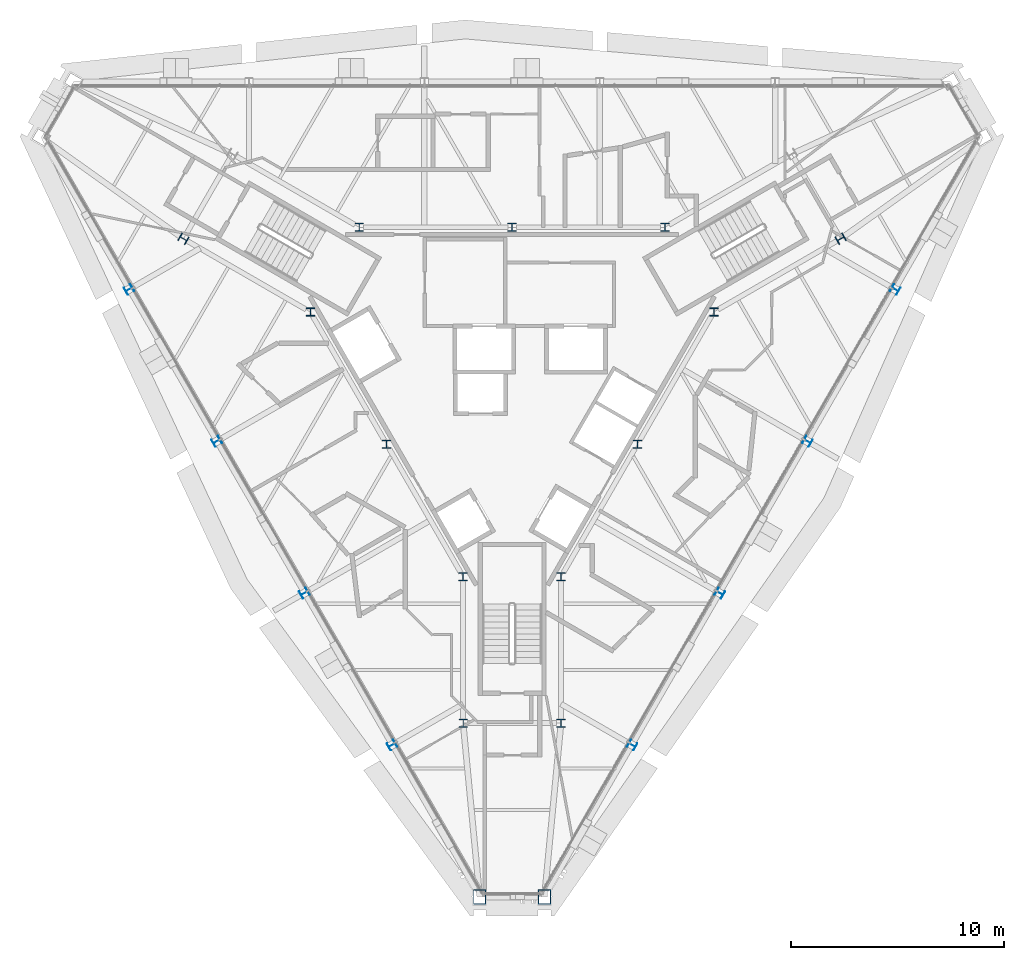
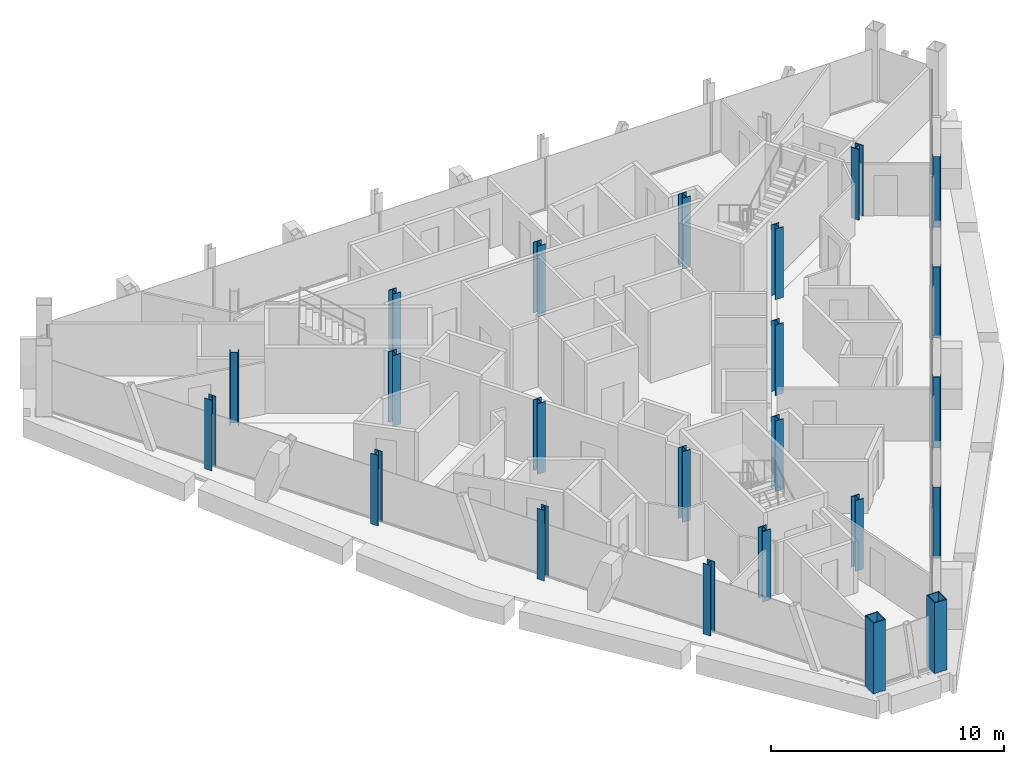
# One storey, part 1 of 14: 23 columns.
"""IFC4 building model written with IfcOpenShell, lengths in metres."""

from ifc_helpers import new_model, si_unit, direction, frame, origin, origin_2d, place, context, subcontext, project, spatial, hollow_rectangle, i_section, extrude, material, material_profile, profile_set, type_object, element, save


model = new_model("IFC4")

# Units and contexts
model_context = context("Model", 3, precision=1e-05, world=origin(), true_north=direction((0.0, 1.0)))
body_context = subcontext(model_context, "Body", "Model", "MODEL_VIEW")
ifc_project = project(units=[si_unit("LENGTHUNIT", "METRE"), si_unit("AREAUNIT", "SQUARE_METRE"), si_unit("VOLUMEUNIT", "CUBIC_METRE"), si_unit("PLANEANGLEUNIT", "RADIAN"), si_unit("MASSUNIT", "GRAM", prefix="KILO")], contexts=[model_context])

# Site, building, storey
site_placement = place(None, origin())
site = spatial("IfcSite", under=ifc_project, at=site_placement, CompositionType="ELEMENT")
building_placement = place(site_placement, origin())
building = spatial("IfcBuilding", under=site, at=building_placement, Name="Verrane Prism Tower", CompositionType="ELEMENT")
storey_placement = place(building_placement, frame((0.0, 0.0, 293.60009765625)))
storey = spatial("IfcBuildingStorey", under=building, at=storey_placement, Name="L74", CompositionType="ELEMENT", Elevation=293.60009765625)

# Columns
ifc_material_1 = material(Name="Steel A992", Category="steel")
ifc_material_profile_1 = material_profile(ifc_material_1, i_section(OverallWidth=0.4013671875, OverallDepth=0.398681640625, WebThickness=0.02490234375, FlangeThickness=0.03955078125, FilletRadius=0.01513671875, at=origin_2d()), Name="W14x211")
ifc_profile_set_1 = profile_set([ifc_material_profile_1], Name="Steel A992")
column_type_1 = type_object("IfcColumnType", Name="Core corner column W14x211", PredefinedType="COLUMN", material=ifc_profile_set_1)
for number, where, z_axis, x_axis, name in (
    (1, (15.43994140625, 6.260009765625, 0.0), (0.0, 0.0, 1.0), (0.5, -0.866025403784, 0.0), "Core corner column CK-NEm L74"),
    (2, (-15.43994140625, 6.260009765625, 0.0), (0.0, 0.0, 1.0), (0.5, 0.866025403784, 0.0), "Core corner column CK-NWp L74"),
    (3, (-2.300048828125, -16.5, 0.0), (0.0, 0.0, 1.0), (-1.0, 0.0, 0.0), "Core corner column CK-Sm L74"),
    (4, (2.300048828125, -16.5, 0.0), (0.0, 0.0, 1.0), (-1.0, 0.0, 0.0), "Core corner column CK-Sp L74"),
):
    element("IfcColumn", number, at=place(storey_placement, frame(where, z_axis=z_axis, x_axis=x_axis)), inside=storey, type_object=column_type_1, Name=name, PredefinedType="COLUMN", context=body_context, shape_type="SweptSolid", body=[
        extrude(i_section(OverallWidth=0.4013671875, OverallDepth=0.398681640625, WebThickness=0.02490234375, FlangeThickness=0.03955078125, FilletRadius=0.01513671875, at=origin_2d()), origin(), (0.0, 0.0, 1.0), 3.699951171875),
    ])
ifc_material_2 = material(Name="Steel A992", Category="steel")
ifc_material_profile_2 = material_profile(ifc_material_2, i_section(OverallWidth=0.398681640625, OverallDepth=0.385986328125, WebThickness=0.02099609375, FlangeThickness=0.033203125, FilletRadius=0.01513671875, at=origin_2d()), Name="W14x176")
ifc_profile_set_2 = profile_set([ifc_material_profile_2], Name="Steel A992")
column_type_2 = type_object("IfcColumnType", Name="Core side column W14x176", PredefinedType="COLUMN", material=ifc_profile_set_2)
for number, where, z_axis, x_axis, name in (
    (5, (9.47998046875, 2.820068359375, 0.0), (0.0, 0.0, 1.0), (1.0, 0.0, 0.0), "Core side column CC-NEm L74"),
    (6, (7.179931640625, 6.800048828125, 0.0), (0.0, 0.0, 1.0), (1.0, 0.0, 0.0), "Core side column CC-NEp L74"),
    (7, (0.0, 6.800048828125, 0.0), (0.0, 0.0, 1.0), (1.0, 0.0, 0.0), "Core side column CC-N0 L74"),
    (8, (-7.179931640625, 6.800048828125, 0.0), (0.0, 0.0, 1.0), (1.0, 0.0, 0.0), "Core side column CC-NWm L74"),
    (9, (-9.47998046875, 2.820068359375, 0.0), (0.0, 0.0, 1.0), (1.0, 0.0, 0.0), "Core side column CC-NWp L74"),
    (10, (-5.889892578125, -3.39990234375, 0.0), (0.0, 0.0, 1.0), (1.0, 0.0, 0.0), "Core side column CC-SW0 L74"),
    (11, (-2.300048828125, -9.6201171875, 0.0), (0.0, 0.0, 1.0), (1.0, 0.0, 0.0), "Core side column CC-Sm L74"),
    (12, (2.300048828125, -9.6201171875, 0.0), (0.0, 0.0, 1.0), (1.0, 0.0, 0.0), "Core side column CC-Sp L74"),
    (13, (5.889892578125, -3.39990234375, 0.0), (0.0, 0.0, 1.0), (1.0, 0.0, 0.0), "Core side column CC-SE0 L74"),
):
    element("IfcColumn", number, at=place(storey_placement, frame(where, z_axis=z_axis, x_axis=x_axis)), inside=storey, type_object=column_type_2, Name=name, PredefinedType="COLUMN", context=body_context, shape_type="SweptSolid", body=[
        extrude(i_section(OverallWidth=0.398681640625, OverallDepth=0.385986328125, WebThickness=0.02099609375, FlangeThickness=0.033203125, FilletRadius=0.01513671875, at=origin_2d()), origin(), (0.0, 0.0, 1.0), 3.699951171875),
    ])
ifc_material_3 = material(Name="Steel A572 Grade 50", Category="steel")
ifc_material_profile_3 = material_profile(ifc_material_3, hollow_rectangle(XDim=0.60009765625, YDim=0.699951171875, WallThickness=0.0400390625, at=origin_2d()), Name="BOX 700x600x40")
ifc_profile_set_3 = profile_set([ifc_material_profile_3], Name="Steel A572 Grade 50")
column_type_3 = type_object("IfcColumnType", Name="Megacolumn BOX 700x600x40", PredefinedType="COLUMN", material=ifc_profile_set_3)
for number, where, z_axis, x_axis, name in (
    (14, (-1.52001953125, -24.669921875, 0.0), (0.0, 0.0, 1.0), (-1.0, 0.0, 0.0), "Megacolumn MC-S.a L74"),
    (15, (1.52001953125, -24.669921875, 0.0), (0.0, 0.0, 1.0), (-1.0, 0.0, 0.0), "Megacolumn MC-S.b L74"),
):
    element("IfcColumn", number, at=place(storey_placement, frame(where, z_axis=z_axis, x_axis=x_axis)), inside=storey, type_object=column_type_3, Name=name, PredefinedType="COLUMN", context=body_context, shape_type="SweptSolid", body=[
        extrude(hollow_rectangle(XDim=0.60009765625, YDim=0.699951171875, WallThickness=0.0400390625, at=origin_2d()), origin(), (0.0, 0.0, 1.0), 3.699951171875),
    ])
ifc_material_4 = material(Name="Steel A992", Category="steel")
ifc_material_profile_4 = material_profile(ifc_material_4, i_section(OverallWidth=0.373291015625, OverallDepth=0.368408203125, WebThickness=0.014892578125, FlangeThickness=0.02392578125, FilletRadius=0.01513671875, at=origin_2d()), Name="W14x120")
ifc_profile_set_4 = profile_set([ifc_material_profile_4], Name="Steel A992")
column_type_4 = type_object("IfcColumnType", Name="Perimeter column W14x120", PredefinedType="COLUMN", material=ifc_profile_set_4)
for number, where, z_axis, x_axis, name in (
    (16, (-18.0, 3.8798828125, 0.0), (0.0, 0.0, 1.0), (-0.5, 0.866025403784, 0.0), "Perimeter column PC-SW1 L74"),
    (17, (-13.8798828125, -3.260009765625, 0.0), (0.0, 0.0, 1.0), (-0.5, 0.866025403784, 0.0), "Perimeter column PC-SW2 L74"),
    (18, (-9.760009765625, -10.389892578125, 0.0), (0.0, 0.0, 1.0), (-0.5, 0.866025403784, 0.0), "Perimeter column PC-SW3 L74"),
    (19, (-5.639892578125, -17.530029296875, 0.0), (0.0, 0.0, 1.0), (-0.5, 0.866025403784, 0.0), "Perimeter column PC-SW4 L74"),
    (20, (5.639892578125, -17.530029296875, 0.0), (0.0, 0.0, 1.0), (-0.5, -0.866025403784, 0.0), "Perimeter column PC-SE1 L74"),
    (21, (9.760009765625, -10.389892578125, 0.0), (0.0, 0.0, 1.0), (-0.5, -0.866025403784, 0.0), "Perimeter column PC-SE2 L74"),
    (22, (13.8798828125, -3.260009765625, 0.0), (0.0, 0.0, 1.0), (-0.5, -0.866025403784, 0.0), "Perimeter column PC-SE3 L74"),
    (23, (18.0, 3.8798828125, 0.0), (0.0, 0.0, 1.0), (-0.5, -0.866025403784, 0.0), "Perimeter column PC-SE4 L74"),
):
    element("IfcColumn", number, at=place(storey_placement, frame(where, z_axis=z_axis, x_axis=x_axis)), inside=storey, type_object=column_type_4, Name=name, PredefinedType="COLUMN", context=body_context, shape_type="SweptSolid", body=[
        extrude(i_section(OverallWidth=0.373291015625, OverallDepth=0.368408203125, WebThickness=0.014892578125, FlangeThickness=0.02392578125, FilletRadius=0.01513671875, at=origin_2d()), origin(), (0.0, 0.0, 1.0), 3.699951171875),
    ])

save(model, "model.ifc")
